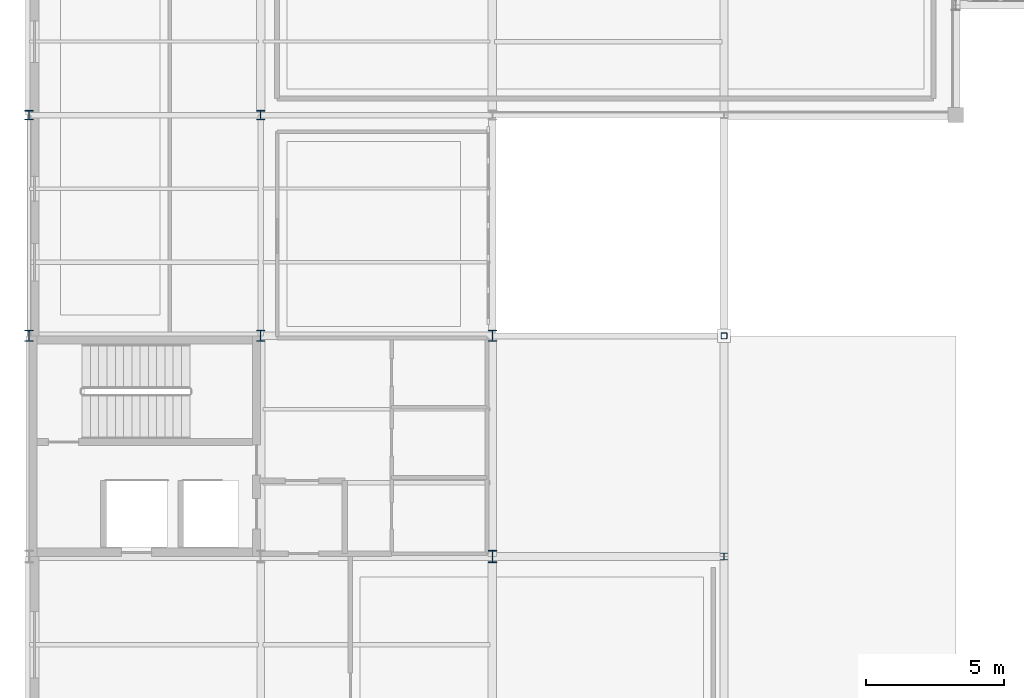
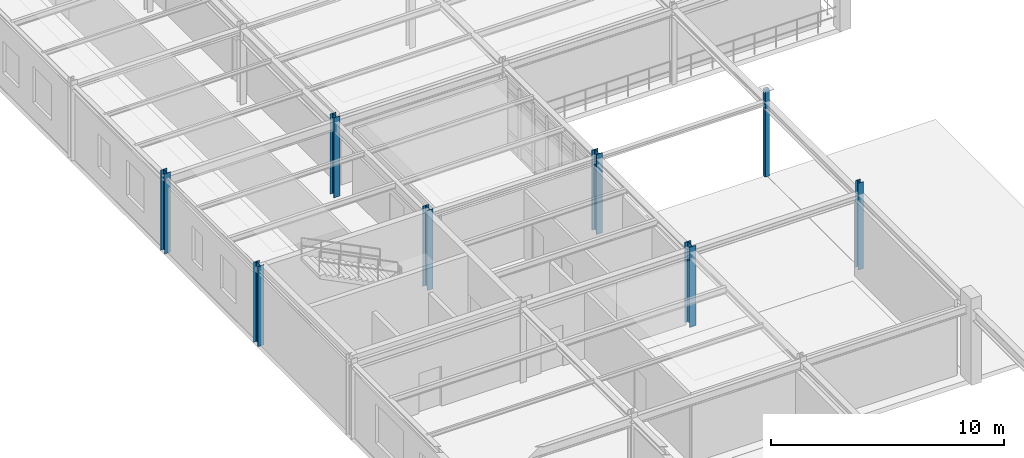
# One storey, part 3 of 90: 8 columns.
"""IFC4 building model written with IfcOpenShell, lengths in metres."""

import ifcopenshell
import ifcopenshell.guid

model = None  # the IFC model being written
_history = None  # IfcOwnerHistory: only IFC2X3 demands one
_inside = {}  # id of a spatial element -> (the spatial element, [elements in it])
_under = {}  # id of a project, library or spatial element -> (it, [spatial elements below it])
_declared = {}  # id of a project -> (the project, [libraries it declares])
_typed = {}  # id of a type object -> (the type object, [elements of that type])
_made_of = {}  # id of a material, layer set ... -> (it, [elements and type objects made of it])


def new_model(schema):
    """Start an empty IFC model of exactly this schema.

    Asked for "IFC4X3", IfcOpenShell would pick the latest addendum, in which some entities
    have other attributes; the version numbers below select the first issue.
    IFC2X3 requires an IfcOwnerHistory on every rooted entity: one is made here for all.
    """
    global model, _history
    if schema == "IFC4X3":
        model = ifcopenshell.file(schema_version=(4, 3, 0, 0))
    else:
        model = ifcopenshell.file(schema=schema)
    _inside.clear()
    _under.clear()
    _declared.clear()
    _typed.clear()
    _made_of.clear()
    _history = None
    if model.schema == "IFC2X3":
        org = make("IfcOrganization", Name="unknown")
        user = make(
            "IfcPersonAndOrganization",
            ThePerson=make("IfcPerson", FamilyName="unknown"),
            TheOrganization=org,
        )
        app = make(
            "IfcApplication",
            ApplicationDeveloper=org,
            Version="unknown",
            ApplicationFullName="unknown",
            ApplicationIdentifier="unknown",
        )
        _history = make(
            "IfcOwnerHistory",
            OwningUser=user,
            OwningApplication=app,
            ChangeAction="ADDED",
            CreationDate=0,
        )
    return model


def make(cls, **values):
    """One entity of the class cls with the attributes given. An attribute that is None is left unset."""
    return model.create_entity(
        cls, **{name: value for name, value in values.items() if value is not None}
    )


def rooted(cls, **values):
    """An entity with a GlobalId (a new one), such as an element, a storey or a relation."""
    return make(cls, GlobalId=ifcopenshell.guid.new(), OwnerHistory=_history, **values)


def si_unit(unit_type, name, prefix=None):
    """IfcSIUnit, for example si_unit("LENGTHUNIT", "METRE", prefix="MILLI")."""
    return make("IfcSIUnit", UnitType=unit_type, Prefix=prefix, Name=name)


def derived_unit(unit_type, elements):
    """IfcDerivedUnit: a product of units, each with its exponent."""
    return make(
        "IfcDerivedUnit",
        Elements=[
            make("IfcDerivedUnitElement", Unit=unit, Exponent=power)
            for unit, power in elements
        ],
        UnitType=unit_type,
    )


def assignment(units):
    """IfcUnitAssignment: the units of a project."""
    return None if units is None else make("IfcUnitAssignment", Units=units)


def point(xyz):
    """IfcCartesianPoint."""
    return None if xyz is None else make("IfcCartesianPoint", Coordinates=xyz)


def direction(xyz):
    """IfcDirection."""
    return None if xyz is None else make("IfcDirection", DirectionRatios=xyz)


def frame(location, z_axis=None, x_axis=None):
    """IfcAxis2Placement3D, a coordinate frame: its origin and axes. An axis left out is left unset."""
    return make(
        "IfcAxis2Placement3D",
        Location=point(location),
        Axis=direction(z_axis),
        RefDirection=direction(x_axis),
    )


def frame_2d(location, x_axis=None):
    """IfcAxis2Placement2D, a coordinate frame in the plane: its origin and x axis."""
    return make(
        "IfcAxis2Placement2D", Location=point(location), RefDirection=direction(x_axis)
    )


def origin():
    """The frame at (0, 0, 0) with its axes left unset."""
    return frame((0.0, 0.0, 0.0))


def origin_2d():
    """The frame at (0, 0) in the plane with its x axis left unset."""
    return frame_2d((0.0, 0.0))


def place(relative_to, where):
    """IfcLocalPlacement: puts the frame where relative to a parent placement (None: the world)."""
    return make(
        "IfcLocalPlacement", PlacementRelTo=relative_to, RelativePlacement=where
    )


def context(
    kind, dimensions, precision=None, world=None, true_north=None, identifier=None
):
    """IfcGeometricRepresentationContext, for example the 3D "Model" context."""
    return make(
        "IfcGeometricRepresentationContext",
        ContextIdentifier=identifier,
        ContextType=kind,
        CoordinateSpaceDimension=dimensions,
        Precision=precision,
        WorldCoordinateSystem=world,
        TrueNorth=true_north,
    )


def subcontext(parent, identifier, kind, view, scale=None):
    """IfcGeometricRepresentationSubContext, for example "Body" below "Model"."""
    return make(
        "IfcGeometricRepresentationSubContext",
        ContextIdentifier=identifier,
        ContextType=kind,
        ParentContext=parent,
        TargetScale=scale,
        TargetView=view,
    )


def project(units=None, contexts=None):
    """IfcProject with its units and contexts."""
    return rooted(
        "IfcProject",
        Name="project",
        RepresentationContexts=contexts,
        UnitsInContext=assignment(units),
    )


def spatial(cls, under=None, at=None, **own):
    """A site, building, storey or space (cls), placed at a placement, below another one or the project."""
    s = rooted(cls, ObjectPlacement=at, **own)
    if under is not None:
        _under.setdefault(under.id(), (under, []))[1].append(s)
    return s


def profile(cls, at=None, kind="AREA", **sizes):
    """A parametric profile (cls). Its sizes go by their IFC names, for example OverallWidth=200.0."""
    return make(cls, ProfileType=kind, Position=at, **sizes)


def hollow_rectangle(**sizes):
    """IfcRectangleHollowProfileDef."""
    return profile("IfcRectangleHollowProfileDef", **sizes)


def i_section(**sizes):
    """IfcIShapeProfileDef."""
    return profile("IfcIShapeProfileDef", **sizes)


def extrude(swept, where, along, depth):
    """IfcExtrudedAreaSolid: the profile swept, set in the frame where, extruded along a direction by depth."""
    return make(
        "IfcExtrudedAreaSolid",
        SweptArea=swept,
        Position=where,
        ExtrudedDirection=direction(along),
        Depth=depth,
    )


def shape(context_of_items, identifier, shape_type, items):
    """IfcShapeRepresentation: the items that make up one representation, for example the "Body"."""
    return make(
        "IfcShapeRepresentation",
        ContextOfItems=context_of_items,
        RepresentationIdentifier=identifier,
        RepresentationType=shape_type,
        Items=items,
    )


def material(Name=None, Category=None):
    """IfcMaterial."""
    return make("IfcMaterial", Name=Name, Category=Category)


def material_profile(
    of_material, cross_section, Name=None, Category=None, Priority=None
):
    """IfcMaterialProfile: a cross section and its material."""
    return make(
        "IfcMaterialProfile",
        Name=Name,
        Material=of_material,
        Profile=cross_section,
        Priority=Priority,
        Category=Category,
    )


def profile_set(profiles, Name=None, composite=None):
    """IfcMaterialProfileSet."""
    return make(
        "IfcMaterialProfileSet",
        Name=Name,
        MaterialProfiles=profiles,
        CompositeProfile=composite,
    )


def made_of(thing, what):
    """Note that an element or type object is made of a material, layer set ...; save() writes the relation."""
    if what is not None:
        _made_of.setdefault(what.id(), (what, []))[1].append(thing)
    return thing


def type_object(cls, material=None, **own):
    """A type object (cls), such as IfcWallType, which elements share."""
    return made_of(rooted(cls, **own), material)


def element(
    cls,
    number,
    at=None,
    inside=None,
    cuts=None,
    type_object=None,
    material=None,
    context=None,
    identifier="Body",
    shape_type=None,
    held_by="IfcProductDefinitionShape",
    body=None,
    shapes=None,
    **own,
):
    """One element of the class cls, such as IfcWall. Its Tag is "e" and its number.

    at: its placement. inside: the storey or other place that contains it. cuts: it is an
    opening in that element (IfcRelVoidsElement). A single representation is given by context,
    identifier, shape_type and body (its items); several are given by shapes. held_by: the class
    of the entity that holds the representations. save() writes the other relations.
    """
    e = rooted(cls, Tag="e%d" % number, ObjectPlacement=at, **own)
    if body is not None:
        shapes = [shape(context, identifier, shape_type, body)]
    if shapes is not None:
        e.Representation = make(held_by, Representations=shapes)
    if inside is not None:
        _inside.setdefault(inside.id(), (inside, []))[1].append(e)
    if cuts is not None:
        rooted(
            "IfcRelVoidsElement", RelatingBuildingElement=cuts, RelatedOpeningElement=e
        )
    if type_object is not None:
        _typed.setdefault(type_object.id(), (type_object, []))[1].append(e)
    return made_of(e, material)


def aggregate(whole, parts):
    """IfcRelAggregates: a whole, such as a stair, and the parts it consists of."""
    return rooted("IfcRelAggregates", RelatingObject=whole, RelatedObjects=parts)


def save(model, path):
    """Write the relations noted so far, then the file.

    IfcRelAggregates (storeys below a building ...), IfcRelContainedInSpatialStructure (elements
    in a storey), IfcRelDefinesByType, IfcRelAssociatesMaterial and IfcRelDeclares: one each for
    every whole, place, type object, material and project.
    """
    for whole, parts in _under.values():
        aggregate(whole, parts)
    for where, things in _inside.values():
        rooted(
            "IfcRelContainedInSpatialStructure",
            RelatedElements=things,
            RelatingStructure=where,
        )
    for kind, things in _typed.values():
        rooted("IfcRelDefinesByType", RelatedObjects=things, RelatingType=kind)
    for what, things in _made_of.values():
        rooted("IfcRelAssociatesMaterial", RelatedObjects=things, RelatingMaterial=what)
    for by, libraries in _declared.values():
        rooted("IfcRelDeclares", RelatingContext=by, RelatedDefinitions=libraries)
    model.write(path)


model = new_model("IFC4")

# Units and contexts
model_context = context("Model", 3, precision=1e-05, world=origin(), true_north=direction((0.0, 1.0)))
body_context = subcontext(model_context, "Body", "Model", "MODEL_VIEW")
ifc_project = project(units=[si_unit("LENGTHUNIT", "METRE"), si_unit("AREAUNIT", "SQUARE_METRE"), si_unit("VOLUMEUNIT", "CUBIC_METRE"), si_unit("PLANEANGLEUNIT", "RADIAN"), si_unit("MASSUNIT", "GRAM", prefix="KILO"), derived_unit("THERMALTRANSMITTANCEUNIT", [(si_unit("POWERUNIT", "WATT"), 1), (si_unit("AREAUNIT", "SQUARE_METRE"), -1), (si_unit("THERMODYNAMICTEMPERATUREUNIT", "KELVIN"), -1)])], contexts=[model_context])

# Site, building, storey
site_placement = place(None, origin())
site = spatial("IfcSite", under=ifc_project, at=site_placement, CompositionType="ELEMENT")
building_placement = place(site_placement, origin())
building = spatial("IfcBuilding", under=site, at=building_placement, Name="Yasenodar Specialist Clinic", CompositionType="ELEMENT")
storey_placement = place(building_placement, frame((0.0, 0.0, 9.0)))
storey = spatial("IfcBuildingStorey", under=building, at=storey_placement, Name="L02", CompositionType="ELEMENT", Elevation=9.0)

# Columns
ifc_material = material(Name="Steel S355", Category="steel")
ifc_material_profile_1 = material_profile(ifc_material, i_section(OverallWidth=0.260009765625, OverallDepth=0.25, WebThickness=0.007568359375, FlangeThickness=0.012451171875, FilletRadius=0.02392578125, at=origin_2d()), Name="HEA 260")
ifc_profile_set_1 = profile_set([ifc_material_profile_1], Name="Steel S355")
column_type_1 = type_object("IfcColumnType", Name="COL-ST-HEA260", PredefinedType="COLUMN", material=ifc_profile_set_1)
column_1_placement = place(storey_placement, frame((25.199951171875, 34.800048828125, 0.0), z_axis=(0.0, 0.0, 1.0), x_axis=(1.0, 0.0, 0.0)))
element("IfcColumn", 1, at=column_1_placement, inside=storey, type_object=column_type_1, Name="L02 Column V4-050", PredefinedType="COLUMN", context=body_context, shape_type="SweptSolid", body=[
    extrude(i_section(OverallWidth=0.260009765625, OverallDepth=0.25, WebThickness=0.007568359375, FlangeThickness=0.012451171875, FilletRadius=0.02392578125, at=origin_2d()), origin(), (0.0, 0.0, 1.0), 4.550048828125),
])
ifc_material_profile_2 = material_profile(ifc_material, i_section(OverallWidth=0.300048828125, OverallDepth=0.340087890625, WebThickness=0.011962890625, FlangeThickness=0.021484375, FilletRadius=0.027099609375, at=origin_2d()), Name="HEB 340")
ifc_profile_set_2 = profile_set([ifc_material_profile_2], Name="Steel S355")
column_type_2 = type_object("IfcColumnType", Name="COL-ST-HEB340", PredefinedType="COLUMN", material=ifc_profile_set_2)
for number, where, z_axis, x_axis, name in (
    (2, (0.0, 50.800048828125, 0.0), (0.0, 0.0, 1.0), (1.0, 0.0, 0.0), "L02 Column V4-007"),
    (3, (8.39990234375, 50.800048828125, 0.0), (0.0, 0.0, 1.0), (1.0, 0.0, 0.0), "L02 Column V4-022"),
):
    element("IfcColumn", number, at=place(storey_placement, frame(where, z_axis=z_axis, x_axis=x_axis)), inside=storey, type_object=column_type_2, Name=name, PredefinedType="COLUMN", context=body_context, shape_type="SweptSolid", body=[
        extrude(i_section(OverallWidth=0.300048828125, OverallDepth=0.340087890625, WebThickness=0.011962890625, FlangeThickness=0.021484375, FilletRadius=0.027099609375, at=origin_2d()), origin(), (0.0, 0.0, 1.0), 4.199951171875),
    ])
ifc_material_profile_3 = material_profile(ifc_material, i_section(OverallWidth=0.300048828125, OverallDepth=0.39990234375, WebThickness=0.013427734375, FlangeThickness=0.02392578125, FilletRadius=0.027099609375, at=origin_2d()), Name="HEB 400")
ifc_profile_set_3 = profile_set([ifc_material_profile_3], Name="Steel S355")
column_type_3 = type_object("IfcColumnType", Name="COL-ST-HEB400", PredefinedType="COLUMN", material=ifc_profile_set_3)
for number, where, z_axis, x_axis, name in (
    (4, (0.0, 42.800048828125, 0.0), (0.0, 0.0, 1.0), (1.0, 0.0, 0.0), "L02 Column V4-006"),
    (5, (8.39990234375, 42.800048828125, 0.0), (0.0, 0.0, 1.0), (1.0, 0.0, 0.0), "L02 Column V4-021"),
    (6, (16.800048828125, 42.800048828125, 0.0), (0.0, 0.0, 1.0), (1.0, 0.0, 0.0), "L02 Column V4-036"),
):
    element("IfcColumn", number, at=place(storey_placement, frame(where, z_axis=z_axis, x_axis=x_axis)), inside=storey, type_object=column_type_3, Name=name, PredefinedType="COLUMN", context=body_context, shape_type="SweptSolid", body=[
        extrude(i_section(OverallWidth=0.300048828125, OverallDepth=0.39990234375, WebThickness=0.013427734375, FlangeThickness=0.02392578125, FilletRadius=0.027099609375, at=origin_2d()), origin(), (0.0, 0.0, 1.0), 4.199951171875),
    ])
ifc_material_profile_4 = material_profile(ifc_material, i_section(OverallWidth=0.300048828125, OverallDepth=0.449951171875, WebThickness=0.013916015625, FlangeThickness=0.02587890625, FilletRadius=0.027099609375, at=origin_2d()), Name="HEB 450")
ifc_profile_set_4 = profile_set([ifc_material_profile_4], Name="Steel S355")
column_type_4 = type_object("IfcColumnType", Name="COL-ST-HEB450", PredefinedType="COLUMN", material=ifc_profile_set_4)
column_2_placement = place(storey_placement, frame((16.800048828125, 34.800048828125, 0.0), z_axis=(0.0, 0.0, 1.0), x_axis=(1.0, 0.0, 0.0)))
element("IfcColumn", 7, at=column_2_placement, inside=storey, type_object=column_type_4, Name="L02 Column V4-035", PredefinedType="COLUMN", context=body_context, shape_type="SweptSolid", body=[
    extrude(i_section(OverallWidth=0.300048828125, OverallDepth=0.449951171875, WebThickness=0.013916015625, FlangeThickness=0.02587890625, FilletRadius=0.027099609375, at=origin_2d()), origin(), (0.0, 0.0, 1.0), 4.199951171875),
])
ifc_material_profile_5 = material_profile(ifc_material, hollow_rectangle(XDim=0.219970703125, YDim=0.219970703125, WallThickness=0.012451171875, InnerFilletRadius=0.018798828125, OuterFilletRadius=0.03125, at=origin_2d()), Name="SHS 220x220x12.5")
ifc_profile_set_5 = profile_set([ifc_material_profile_5], Name="Steel S355")
column_type_5 = type_object("IfcColumnType", Name="COL-ST-SHS220", PredefinedType="COLUMN", material=ifc_profile_set_5)
column_3_placement = place(storey_placement, frame((25.199951171875, 42.800048828125, 0.0), z_axis=(0.0, 0.0, 1.0), x_axis=(1.0, 0.0, 0.0)))
element("IfcColumn", 8, at=column_3_placement, inside=storey, type_object=column_type_5, Name="L02 Column V4-051", PredefinedType="COLUMN", context=body_context, shape_type="SweptSolid", body=[
    extrude(hollow_rectangle(XDim=0.219970703125, YDim=0.219970703125, WallThickness=0.012451171875, InnerFilletRadius=0.018798828125, OuterFilletRadius=0.03125, at=origin_2d()), origin(), (0.0, 0.0, 1.0), 4.550048828125),
])

save(model, "model.ifc")
